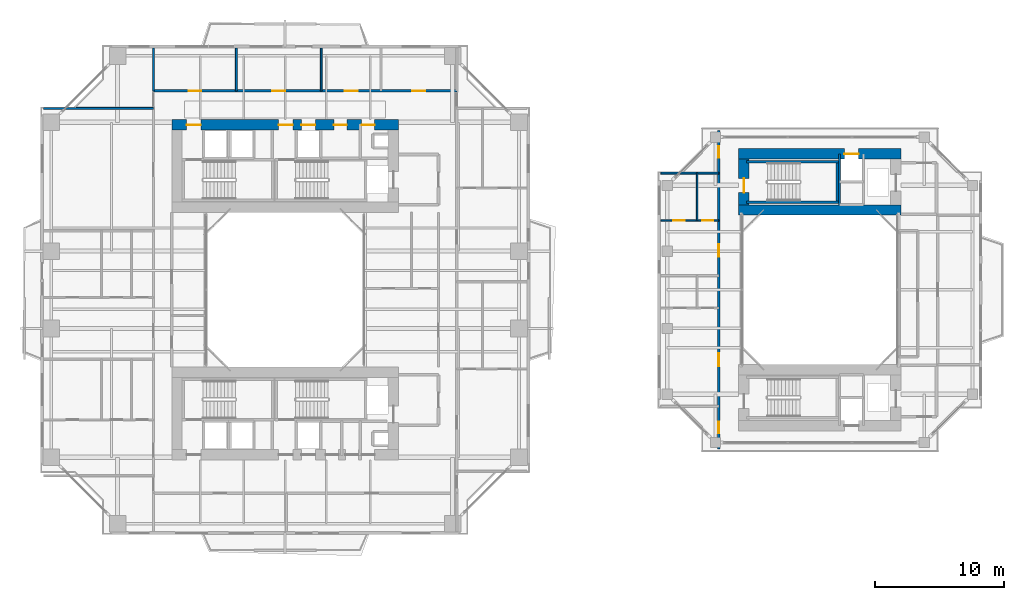
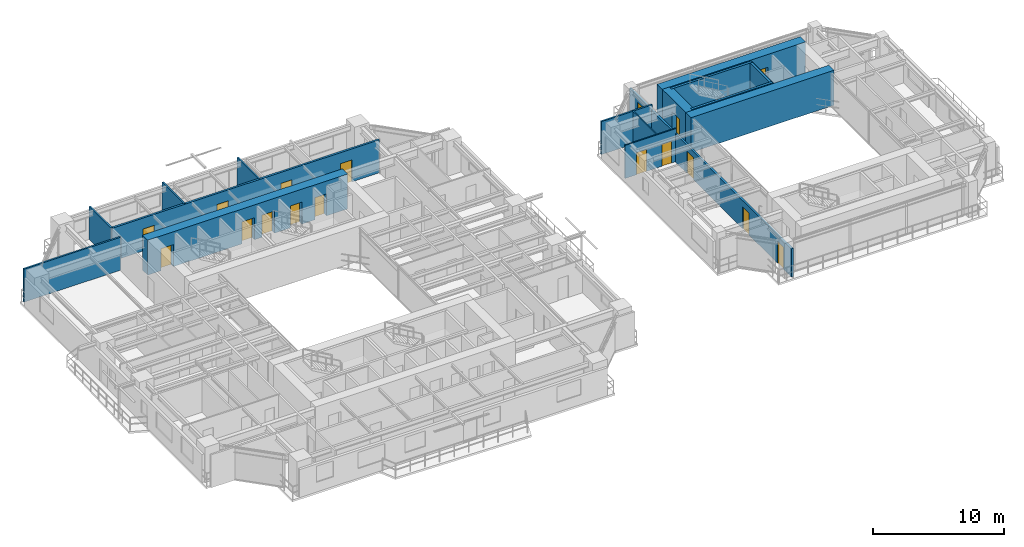
# One storey, part 16 of 23: 17 doors, 17 walls, 17 openings.
"""IFC4 building model written with IfcOpenShell, lengths in metres."""

import ifcopenshell
import ifcopenshell.guid

model = None  # the IFC model being written
_history = None  # IfcOwnerHistory: only IFC2X3 demands one
_inside = {}  # id of a spatial element -> (the spatial element, [elements in it])
_under = {}  # id of a project, library or spatial element -> (it, [spatial elements below it])
_declared = {}  # id of a project -> (the project, [libraries it declares])
_typed = {}  # id of a type object -> (the type object, [elements of that type])
_made_of = {}  # id of a material, layer set ... -> (it, [elements and type objects made of it])


def new_model(schema):
    """Start an empty IFC model of exactly this schema.

    Asked for "IFC4X3", IfcOpenShell would pick the latest addendum, in which some entities
    have other attributes; the version numbers below select the first issue.
    IFC2X3 requires an IfcOwnerHistory on every rooted entity: one is made here for all.
    """
    global model, _history
    if schema == "IFC4X3":
        model = ifcopenshell.file(schema_version=(4, 3, 0, 0))
    else:
        model = ifcopenshell.file(schema=schema)
    _inside.clear()
    _under.clear()
    _declared.clear()
    _typed.clear()
    _made_of.clear()
    _history = None
    if model.schema == "IFC2X3":
        org = make("IfcOrganization", Name="unknown")
        user = make(
            "IfcPersonAndOrganization",
            ThePerson=make("IfcPerson", FamilyName="unknown"),
            TheOrganization=org,
        )
        app = make(
            "IfcApplication",
            ApplicationDeveloper=org,
            Version="unknown",
            ApplicationFullName="unknown",
            ApplicationIdentifier="unknown",
        )
        _history = make(
            "IfcOwnerHistory",
            OwningUser=user,
            OwningApplication=app,
            ChangeAction="ADDED",
            CreationDate=0,
        )
    return model


def make(cls, **values):
    """One entity of the class cls with the attributes given. An attribute that is None is left unset."""
    return model.create_entity(
        cls, **{name: value for name, value in values.items() if value is not None}
    )


def rooted(cls, **values):
    """An entity with a GlobalId (a new one), such as an element, a storey or a relation."""
    return make(cls, GlobalId=ifcopenshell.guid.new(), OwnerHistory=_history, **values)


def si_unit(unit_type, name, prefix=None):
    """IfcSIUnit, for example si_unit("LENGTHUNIT", "METRE", prefix="MILLI")."""
    return make("IfcSIUnit", UnitType=unit_type, Prefix=prefix, Name=name)


def assignment(units):
    """IfcUnitAssignment: the units of a project."""
    return None if units is None else make("IfcUnitAssignment", Units=units)


def point(xyz):
    """IfcCartesianPoint."""
    return None if xyz is None else make("IfcCartesianPoint", Coordinates=xyz)


def direction(xyz):
    """IfcDirection."""
    return None if xyz is None else make("IfcDirection", DirectionRatios=xyz)


def frame(location, z_axis=None, x_axis=None):
    """IfcAxis2Placement3D, a coordinate frame: its origin and axes. An axis left out is left unset."""
    return make(
        "IfcAxis2Placement3D",
        Location=point(location),
        Axis=direction(z_axis),
        RefDirection=direction(x_axis),
    )


def frame_2d(location, x_axis=None):
    """IfcAxis2Placement2D, a coordinate frame in the plane: its origin and x axis."""
    return make(
        "IfcAxis2Placement2D", Location=point(location), RefDirection=direction(x_axis)
    )


def origin():
    """The frame at (0, 0, 0) with its axes left unset."""
    return frame((0.0, 0.0, 0.0))


def place(relative_to, where):
    """IfcLocalPlacement: puts the frame where relative to a parent placement (None: the world)."""
    return make(
        "IfcLocalPlacement", PlacementRelTo=relative_to, RelativePlacement=where
    )


def context(
    kind, dimensions, precision=None, world=None, true_north=None, identifier=None
):
    """IfcGeometricRepresentationContext, for example the 3D "Model" context."""
    return make(
        "IfcGeometricRepresentationContext",
        ContextIdentifier=identifier,
        ContextType=kind,
        CoordinateSpaceDimension=dimensions,
        Precision=precision,
        WorldCoordinateSystem=world,
        TrueNorth=true_north,
    )


def subcontext(parent, identifier, kind, view, scale=None):
    """IfcGeometricRepresentationSubContext, for example "Body" below "Model"."""
    return make(
        "IfcGeometricRepresentationSubContext",
        ContextIdentifier=identifier,
        ContextType=kind,
        ParentContext=parent,
        TargetScale=scale,
        TargetView=view,
    )


def project(units=None, contexts=None):
    """IfcProject with its units and contexts."""
    return rooted(
        "IfcProject",
        Name="project",
        RepresentationContexts=contexts,
        UnitsInContext=assignment(units),
    )


def spatial(cls, under=None, at=None, **own):
    """A site, building, storey or space (cls), placed at a placement, below another one or the project."""
    s = rooted(cls, ObjectPlacement=at, **own)
    if under is not None:
        _under.setdefault(under.id(), (under, []))[1].append(s)
    return s


def profile(cls, at=None, kind="AREA", **sizes):
    """A parametric profile (cls). Its sizes go by their IFC names, for example OverallWidth=200.0."""
    return make(cls, ProfileType=kind, Position=at, **sizes)


def rectangle(**sizes):
    """IfcRectangleProfileDef."""
    return profile("IfcRectangleProfileDef", **sizes)


def extrude(swept, where, along, depth):
    """IfcExtrudedAreaSolid: the profile swept, set in the frame where, extruded along a direction by depth."""
    return make(
        "IfcExtrudedAreaSolid",
        SweptArea=swept,
        Position=where,
        ExtrudedDirection=direction(along),
        Depth=depth,
    )


def shape(context_of_items, identifier, shape_type, items):
    """IfcShapeRepresentation: the items that make up one representation, for example the "Body"."""
    return make(
        "IfcShapeRepresentation",
        ContextOfItems=context_of_items,
        RepresentationIdentifier=identifier,
        RepresentationType=shape_type,
        Items=items,
    )


def source(mapping_origin, context_of_items, identifier, shape_type, items):
    """IfcRepresentationMap: a shape defined once, which mapped items show again and again."""
    return make(
        "IfcRepresentationMap",
        MappingOrigin=mapping_origin,
        MappedRepresentation=shape(context_of_items, identifier, shape_type, items),
    )


def transform(
    local_origin,
    x_axis=None,
    y_axis=None,
    z_axis=None,
    scale=None,
    scale2=None,
    scale3=None,
    uniform=True,
):
    """IfcCartesianTransformationOperator3D, or its non-uniform kind. x_axis, y_axis, z_axis: its Axis1, 2, 3."""
    if uniform:
        return make(
            "IfcCartesianTransformationOperator3D",
            Axis1=direction(x_axis),
            Axis2=direction(y_axis),
            LocalOrigin=point(local_origin),
            Scale=scale,
            Axis3=direction(z_axis),
        )
    return make(
        "IfcCartesianTransformationOperator3DnonUniform",
        Axis1=direction(x_axis),
        Axis2=direction(y_axis),
        LocalOrigin=point(local_origin),
        Scale=scale,
        Axis3=direction(z_axis),
        Scale2=scale2,
        Scale3=scale3,
    )


def mapped(mapping_source, mapping_target):
    """IfcMappedItem: shows the shape of a source again, moved by a transform."""
    return make(
        "IfcMappedItem", MappingSource=mapping_source, MappingTarget=mapping_target
    )


def material(Name=None, Category=None):
    """IfcMaterial."""
    return make("IfcMaterial", Name=Name, Category=Category)


def layer(
    of_material, thickness, ventilated=None, Name=None, Category=None, Priority=None
):
    """IfcMaterialLayer: one layer of a wall or slab, of a material (None: an air gap)."""
    return make(
        "IfcMaterialLayer",
        Material=of_material,
        LayerThickness=thickness,
        IsVentilated=ventilated,
        Name=Name,
        Category=Category,
        Priority=Priority,
    )


def layer_set(layers, Name=None):
    """IfcMaterialLayerSet."""
    return make("IfcMaterialLayerSet", MaterialLayers=layers, LayerSetName=Name)


def made_of(thing, what):
    """Note that an element or type object is made of a material, layer set ...; save() writes the relation."""
    if what is not None:
        _made_of.setdefault(what.id(), (what, []))[1].append(thing)
    return thing


def type_object(cls, material=None, **own):
    """A type object (cls), such as IfcWallType, which elements share."""
    return made_of(rooted(cls, **own), material)


def element(
    cls,
    number,
    at=None,
    inside=None,
    cuts=None,
    type_object=None,
    material=None,
    context=None,
    identifier="Body",
    shape_type=None,
    held_by="IfcProductDefinitionShape",
    body=None,
    shapes=None,
    **own,
):
    """One element of the class cls, such as IfcWall. Its Tag is "e" and its number.

    at: its placement. inside: the storey or other place that contains it. cuts: it is an
    opening in that element (IfcRelVoidsElement). A single representation is given by context,
    identifier, shape_type and body (its items); several are given by shapes. held_by: the class
    of the entity that holds the representations. save() writes the other relations.
    """
    e = rooted(cls, Tag="e%d" % number, ObjectPlacement=at, **own)
    if body is not None:
        shapes = [shape(context, identifier, shape_type, body)]
    if shapes is not None:
        e.Representation = make(held_by, Representations=shapes)
    if inside is not None:
        _inside.setdefault(inside.id(), (inside, []))[1].append(e)
    if cuts is not None:
        rooted(
            "IfcRelVoidsElement", RelatingBuildingElement=cuts, RelatedOpeningElement=e
        )
    if type_object is not None:
        _typed.setdefault(type_object.id(), (type_object, []))[1].append(e)
    return made_of(e, material)


def fill(opening, filler):
    """IfcRelFillsElement: the door or window that sits in an opening."""
    return rooted(
        "IfcRelFillsElement",
        RelatingOpeningElement=opening,
        RelatedBuildingElement=filler,
    )


def aggregate(whole, parts):
    """IfcRelAggregates: a whole, such as a stair, and the parts it consists of."""
    return rooted("IfcRelAggregates", RelatingObject=whole, RelatedObjects=parts)


def save(model, path):
    """Write the relations noted so far, then the file.

    IfcRelAggregates (storeys below a building ...), IfcRelContainedInSpatialStructure (elements
    in a storey), IfcRelDefinesByType, IfcRelAssociatesMaterial and IfcRelDeclares: one each for
    every whole, place, type object, material and project.
    """
    for whole, parts in _under.values():
        aggregate(whole, parts)
    for where, things in _inside.values():
        rooted(
            "IfcRelContainedInSpatialStructure",
            RelatedElements=things,
            RelatingStructure=where,
        )
    for kind, things in _typed.values():
        rooted("IfcRelDefinesByType", RelatedObjects=things, RelatingType=kind)
    for what, things in _made_of.values():
        rooted("IfcRelAssociatesMaterial", RelatedObjects=things, RelatingMaterial=what)
    for by, libraries in _declared.values():
        rooted("IfcRelDeclares", RelatingContext=by, RelatedDefinitions=libraries)
    model.write(path)


model = new_model("IFC4")

# Units and contexts
model_context = context("Model", 3, precision=1e-05, world=origin(), true_north=direction((0.0, 1.0)))
body_context = subcontext(model_context, "Body", "Model", "MODEL_VIEW")
ifc_project = project(units=[si_unit("LENGTHUNIT", "METRE"), si_unit("AREAUNIT", "SQUARE_METRE"), si_unit("VOLUMEUNIT", "CUBIC_METRE"), si_unit("PLANEANGLEUNIT", "RADIAN"), si_unit("MASSUNIT", "GRAM", prefix="KILO"), si_unit("THERMODYNAMICTEMPERATUREUNIT", "KELVIN"), si_unit("POWERUNIT", "WATT")], contexts=[model_context])

# Site, building, storey
site_placement = place(None, origin())
site = spatial("IfcSite", under=ifc_project, at=site_placement, CompositionType="ELEMENT")
building_placement = place(site_placement, origin())
building = spatial("IfcBuilding", under=site, at=building_placement, Name="Qiaomeng Ring Towers", CompositionType="ELEMENT")
storey_placement = place(building_placement, frame((0.0, 0.0, 76.25)))
storey = spatial("IfcBuildingStorey", under=building, at=storey_placement, Name="L21", CompositionType="ELEMENT", Elevation=76.25)

# Wall, openings, doors
ifc_material_1 = material(Name="Autoclaved aerated concrete block", Category="concrete")
ifc_layer_1 = layer(ifc_material_1, 0.179931640625, Name="Autoclaved aerated concrete block")
ifc_layer_set_1 = layer_set([ifc_layer_1], Name="Autoclaved aerated concrete block")
wall_type_1 = type_object("IfcWallType", Name="ARC-WL-PW2", PredefinedType="PARTITIONING", material=ifc_layer_set_1)
wall_1_placement = place(storey_placement, frame((8.780029296875, 38.43994140625, 0.0), z_axis=(0.0, 0.0, 1.0), x_axis=(1.0, 0.0, 0.0)))
wall_1 = element("IfcWall", 1, at=wall_1_placement, inside=storey, type_object=wall_type_1, Name="L21 Interior Wall PW2", PredefinedType="PARTITIONING", context=body_context, shape_type="SweptSolid", body=[
    extrude(rectangle(XDim=23.5400390625, YDim=0.179931640625, at=frame_2d((11.77001953125, 0.0))), origin(), (0.0, 0.0, 1.0), 3.070068359375),
])
opening_1_placement = place(wall_1_placement, frame((2.719970703125, 0.0, 0.0)))
opening_1 = element("IfcOpeningElement", 2, at=opening_1_placement, cuts=wall_1, Name="Opening FD4", PredefinedType="OPENING", context=body_context, shape_type="SweptSolid", body=[
    extrude(rectangle(XDim=1.0, YDim=2.050048828125, at=frame_2d((0.5, 1.02490234375))), frame((0.0, 0.099853515625, 0.0), z_axis=(0.0, -1.0, 0.0), x_axis=(1.0, 0.0, 0.0)), (0.0, 0.0, 1.0), 0.199951171875),
])
opening_2_placement = place(wall_1_placement, frame((9.22998046875, 0.0, 0.0)))
opening_2 = element("IfcOpeningElement", 3, at=opening_2_placement, cuts=wall_1, Name="Opening FD4", PredefinedType="OPENING", context=body_context, shape_type="SweptSolid", body=[
    extrude(rectangle(XDim=1.0, YDim=2.050048828125, at=frame_2d((0.5, 1.02490234375))), frame((0.0, 0.099853515625, 0.0), z_axis=(0.0, -1.0, 0.0), x_axis=(1.0, 0.0, 0.0)), (0.0, 0.0, 1.0), 0.199951171875),
])
opening_3_placement = place(wall_1_placement, frame((14.840087890625, 0.0, 0.0)))
opening_3 = element("IfcOpeningElement", 4, at=opening_3_placement, cuts=wall_1, Name="Opening FD4", PredefinedType="OPENING", context=body_context, shape_type="SweptSolid", body=[
    extrude(rectangle(XDim=1.0, YDim=2.050048828125, at=frame_2d((0.5, 1.02490234375))), frame((0.0, 0.099853515625, 0.0), z_axis=(0.0, -1.0, 0.0), x_axis=(1.0, 0.0, 0.0)), (0.0, 0.0, 1.0), 0.199951171875),
])
opening_4_placement = place(wall_1_placement, frame((20.10009765625, 0.0, 0.0)))
opening_4 = element("IfcOpeningElement", 5, at=opening_4_placement, cuts=wall_1, Name="Opening FD4", PredefinedType="OPENING", context=body_context, shape_type="SweptSolid", body=[
    extrude(rectangle(XDim=1.0, YDim=2.050048828125, at=frame_2d((0.5, 1.02490234375))), frame((0.0, 0.099853515625, 0.0), z_axis=(0.0, -1.0, 0.0), x_axis=(1.0, 0.0, 0.0)), (0.0, 0.0, 1.0), 0.199951171875),
])
ifc_material_2 = material(Name="Engineered fire-rated oak timber", Category="wood")
door_type_1 = type_object("IfcDoorType", Name="ARC-DR-FD4", OperationType="NOTDEFINED", PredefinedType="DOOR", material=ifc_material_2)
shared_shape_1 = source(origin(), body_context, "Body", "SweptSolid", [
    extrude(rectangle(XDim=1.0, YDim=2.050048828125, at=frame_2d((0.5, 1.02490234375))), frame((0.0, 0.02490234375, 0.0), z_axis=(0.0, -1.0, 0.0), x_axis=(1.0, 0.0, 0.0)), (0.0, 0.0, 1.0), 0.050048828125),
])
door_1_placement = place(opening_1_placement, origin())
door_1 = element("IfcDoor", 6, at=door_1_placement, inside=storey, type_object=door_type_1, Name="L21 Door FD4", OperationType="SINGLE_SWING_RIGHT", OverallHeight=2.050048828125, OverallWidth=1.0, PredefinedType="DOOR", context=body_context, shape_type="MappedRepresentation", body=[
    mapped(shared_shape_1, transform((0.0, 0.0, 0.0), x_axis=(1.0, 0.0, 0.0), y_axis=(0.0, 1.0, 0.0), z_axis=(0.0, 0.0, 1.0), scale=1.0)),
])
fill(opening_1, door_1)
door_2_placement = place(opening_2_placement, origin())
door_2 = element("IfcDoor", 7, at=door_2_placement, inside=storey, type_object=door_type_1, Name="L21 Door FD4", OperationType="SINGLE_SWING_LEFT", OverallHeight=2.050048828125, OverallWidth=1.0, PredefinedType="DOOR", context=body_context, shape_type="MappedRepresentation", body=[
    mapped(shared_shape_1, transform((0.0, 0.0, 0.0), x_axis=(1.0, 0.0, 0.0), y_axis=(0.0, 1.0, 0.0), z_axis=(0.0, 0.0, 1.0), scale=1.0)),
])
fill(opening_2, door_2)
door_3_placement = place(opening_3_placement, origin())
door_3 = element("IfcDoor", 8, at=door_3_placement, inside=storey, type_object=door_type_1, Name="L21 Door FD4", OperationType="SINGLE_SWING_RIGHT", OverallHeight=2.050048828125, OverallWidth=1.0, PredefinedType="DOOR", context=body_context, shape_type="MappedRepresentation", body=[
    mapped(shared_shape_1, transform((0.0, 0.0, 0.0), x_axis=(1.0, 0.0, 0.0), y_axis=(0.0, 1.0, 0.0), z_axis=(0.0, 0.0, 1.0), scale=1.0)),
])
fill(opening_3, door_3)
door_4_placement = place(opening_4_placement, origin())
door_4 = element("IfcDoor", 9, at=door_4_placement, inside=storey, type_object=door_type_1, Name="L21 Door FD4", OperationType="SINGLE_SWING_LEFT", OverallHeight=2.050048828125, OverallWidth=1.0, PredefinedType="DOOR", context=body_context, shape_type="MappedRepresentation", body=[
    mapped(shared_shape_1, transform((0.0, 0.0, 0.0), x_axis=(1.0, 0.0, 0.0), y_axis=(0.0, 1.0, 0.0), z_axis=(0.0, 0.0, 1.0), scale=1.0)),
])
fill(opening_4, door_4)

wall_2_placement = place(storey_placement, frame((52.64990234375, 10.64990234375, 0.0), z_axis=(0.0, 0.0, 1.0), x_axis=(0.0, 1.0, 0.0)))
wall_2 = element("IfcWall", 10, at=wall_2_placement, inside=storey, type_object=wall_type_1, Name="L21 Interior Wall PW2", PredefinedType="PARTITIONING", context=body_context, shape_type="SweptSolid", body=[
    extrude(rectangle(XDim=24.7001953125, YDim=0.179931640625, at=frame_2d((12.35009765625, 0.0))), origin(), (0.0, 0.0, 1.0), 2.614990234375),
])
opening_5_placement = place(wall_2_placement, frame((22.580078125, 0.0, 0.0)))
opening_5 = element("IfcOpeningElement", 11, at=opening_5_placement, cuts=wall_2, Name="Opening ID1", PredefinedType="OPENING", context=body_context, shape_type="SweptSolid", body=[
    extrude(rectangle(XDim=0.89990234375, YDim=2.050048828125, at=frame_2d((0.449951171875, 1.02490234375))), frame((0.0, 0.099853515625, 0.0), z_axis=(0.0, -1.0, 0.0), x_axis=(1.0, 0.0, 0.0)), (0.0, 0.0, 1.0), 0.199951171875),
])
opening_6_placement = place(wall_2_placement, frame((1.219970703125, 0.0, 0.0)))
opening_6 = element("IfcOpeningElement", 12, at=opening_6_placement, cuts=wall_2, Name="Opening ID1", PredefinedType="OPENING", context=body_context, shape_type="SweptSolid", body=[
    extrude(rectangle(XDim=0.89990234375, YDim=2.050048828125, at=frame_2d((0.449951171875, 1.02490234375))), frame((0.0, 0.099853515625, 0.0), z_axis=(0.0, -1.0, 0.0), x_axis=(1.0, 0.0, 0.0)), (0.0, 0.0, 1.0), 0.199951171875),
])
opening_7_placement = place(wall_2_placement, frame((6.425048828125, 0.0, 0.0)))
opening_7 = element("IfcOpeningElement", 13, at=opening_7_placement, cuts=wall_2, Name="Opening FD4", PredefinedType="OPENING", context=body_context, shape_type="SweptSolid", body=[
    extrude(rectangle(XDim=1.0, YDim=2.050048828125, at=frame_2d((0.5, 1.02490234375))), frame((0.0, 0.099853515625, 0.0), z_axis=(0.0, -1.0, 0.0), x_axis=(1.0, 0.0, 0.0)), (0.0, 0.0, 1.0), 0.199951171875),
])
opening_8_placement = place(wall_2_placement, frame((14.905029296875, 0.0, 0.0)))
opening_8 = element("IfcOpeningElement", 14, at=opening_8_placement, cuts=wall_2, Name="Opening FD4", PredefinedType="OPENING", context=body_context, shape_type="SweptSolid", body=[
    extrude(rectangle(XDim=1.0, YDim=2.050048828125, at=frame_2d((0.5, 1.02490234375))), frame((0.0, 0.099853515625, 0.0), z_axis=(0.0, -1.0, 0.0), x_axis=(1.0, 0.0, 0.0)), (0.0, 0.0, 1.0), 0.199951171875),
])
door_5_placement = place(opening_7_placement, origin())
door_5 = element("IfcDoor", 15, at=door_5_placement, inside=storey, type_object=door_type_1, Name="L21 Door FD4", OperationType="SINGLE_SWING_RIGHT", OverallHeight=2.050048828125, OverallWidth=1.0, PredefinedType="DOOR", context=body_context, shape_type="MappedRepresentation", body=[
    mapped(shared_shape_1, transform((0.0, 0.0, 0.0), x_axis=(1.0, 0.0, 0.0), y_axis=(0.0, 1.0, 0.0), z_axis=(0.0, 0.0, 1.0), scale=1.0)),
])
fill(opening_7, door_5)
door_6_placement = place(opening_8_placement, origin())
door_6 = element("IfcDoor", 16, at=door_6_placement, inside=storey, type_object=door_type_1, Name="L21 Door FD4", OperationType="SINGLE_SWING_LEFT", OverallHeight=2.050048828125, OverallWidth=1.0, PredefinedType="DOOR", context=body_context, shape_type="MappedRepresentation", body=[
    mapped(shared_shape_1, transform((0.0, 0.0, 0.0), x_axis=(1.0, 0.0, 0.0), y_axis=(0.0, 1.0, 0.0), z_axis=(0.0, 0.0, 1.0), scale=1.0)),
])
fill(opening_8, door_6)
ifc_material_3 = material(Name="Engineered oak timber", Category="wood")
door_type_2 = type_object("IfcDoorType", Name="ARC-DR-ID1", OperationType="NOTDEFINED", PredefinedType="DOOR", material=ifc_material_3)
shared_shape_2 = source(origin(), body_context, "Body", "SweptSolid", [
    extrude(rectangle(XDim=0.89990234375, YDim=2.050048828125, at=frame_2d((0.449951171875, 1.02490234375))), frame((0.0, 0.02490234375, 0.0), z_axis=(0.0, -1.0, 0.0), x_axis=(1.0, 0.0, 0.0)), (0.0, 0.0, 1.0), 0.050048828125),
])
door_7_placement = place(opening_5_placement, origin())
door_7 = element("IfcDoor", 17, at=door_7_placement, inside=storey, type_object=door_type_2, Name="L21 Door ID1", OperationType="SINGLE_SWING_RIGHT", OverallHeight=2.050048828125, OverallWidth=0.89990234375, PredefinedType="DOOR", context=body_context, shape_type="MappedRepresentation", body=[
    mapped(shared_shape_2, transform((0.0, 0.0, 0.0), x_axis=(1.0, 0.0, 0.0), y_axis=(0.0, 1.0, 0.0), z_axis=(0.0, 0.0, 1.0), scale=1.0)),
])
fill(opening_5, door_7)
door_8_placement = place(opening_6_placement, origin())
door_8 = element("IfcDoor", 18, at=door_8_placement, inside=storey, type_object=door_type_2, Name="L21 Door ID1", OperationType="SINGLE_SWING_LEFT", OverallHeight=2.050048828125, OverallWidth=0.89990234375, PredefinedType="DOOR", context=body_context, shape_type="MappedRepresentation", body=[
    mapped(shared_shape_2, transform((0.0, 0.0, 0.0), x_axis=(1.0, 0.0, 0.0), y_axis=(0.0, 1.0, 0.0), z_axis=(0.0, 0.0, 1.0), scale=1.0)),
])
fill(opening_6, door_8)

# Walls
ifc_material_4 = material(Name="Gypsum fireboard steel-stud partition", Category="steel")
ifc_layer_2 = layer(ifc_material_4, 0.14990234375, Name="Gypsum fireboard steel-stud partition")
ifc_layer_set_2 = layer_set([ifc_layer_2], Name="Gypsum fireboard steel-stud partition")
wall_type_2 = type_object("IfcWallType", Name="ARC-WL-PW3", PredefinedType="PARTITIONING", material=ifc_layer_set_2)
for number, where, z_axis, x_axis, name in (
    (19, (15.219970703125, 38.43994140625, 0.0), (0.0, 0.0, 1.0), (0.0, 1.0, 0.0), "L21 Interior Wall PW3"),
    (20, (21.800048828125, 38.43994140625, 0.0), (0.0, 0.0, 1.0), (0.0, 1.0, 0.0), "L21 Interior Wall PW3"),
    (21, (8.780029296875, 38.43994140625, 0.0), (0.0, 0.0, 1.0), (0.0, 1.0, 0.0), "L21 Interior Wall PW3"),
):
    element("IfcWall", number, at=place(storey_placement, frame(where, z_axis=z_axis, x_axis=x_axis)), inside=storey, type_object=wall_type_2, Name=name, PredefinedType="PARTITIONING", context=body_context, shape_type="SweptSolid", body=[
        extrude(rectangle(XDim=3.31005859375, YDim=0.14990234375, at=frame_2d((1.655029296875, 0.0))), origin(), (0.0, 0.0, 1.0), 3.070068359375),
    ])
wall_3_placement = place(storey_placement, frame((0.25, 37.080078125, 0.0), z_axis=(0.0, 0.0, 1.0), x_axis=(1.0, 0.0, 0.0)))
element("IfcWall", 22, at=wall_3_placement, inside=storey, type_object=wall_type_2, Name="L21 Interior Wall PW3", PredefinedType="PARTITIONING", context=body_context, shape_type="SweptSolid", body=[
    extrude(rectangle(XDim=8.530029296875, YDim=0.14990234375, at=frame_2d((4.26513671875, 0.0))), origin(), (0.0, 0.0, 1.0), 3.070068359375),
])
wall_4_placement = place(storey_placement, frame((48.14990234375, 32.050048828125, 0.0), z_axis=(0.0, 0.0, 1.0), x_axis=(1.0, 0.0, 0.0)))
element("IfcWall", 23, at=wall_4_placement, inside=storey, type_object=wall_type_2, Name="L21 Interior Wall PW3", PredefinedType="PARTITIONING", context=body_context, shape_type="SweptSolid", body=[
    extrude(rectangle(XDim=4.5, YDim=0.14990234375, at=frame_2d((2.25, 0.0))), origin(), (0.0, 0.0, 1.0), 3.070068359375),
])

# Wall, openings, doors
ifc_material_5 = material(Name="Moisture-resistant gypsum steel-stud partition", Category="steel")
ifc_layer_3 = layer(ifc_material_5, 0.1201171875, Name="Moisture-resistant gypsum steel-stud partition")
ifc_layer_set_3 = layer_set([ifc_layer_3], Name="Moisture-resistant gypsum steel-stud partition")
wall_type_3 = type_object("IfcWallType", Name="ARC-WL-PW4", PredefinedType="PLUMBINGWALL", material=ifc_layer_set_3)
wall_5_placement = place(storey_placement, frame((48.14990234375, 28.389892578125, 0.0), z_axis=(0.0, 0.0, 1.0), x_axis=(1.0, 0.0, 0.0)))
wall_5 = element("IfcWall", 24, at=wall_5_placement, inside=storey, type_object=wall_type_3, Name="L21 Interior Wall PW4", PredefinedType="PLUMBINGWALL", context=body_context, shape_type="SweptSolid", body=[
    extrude(rectangle(XDim=4.5, YDim=0.1201171875, at=frame_2d((2.25, 0.0))), origin(), (0.0, 0.0, 1.0), 3.070068359375),
])
opening_9_placement = place(wall_5_placement, frame((0.97509765625, 0.0, 0.0)))
opening_9 = element("IfcOpeningElement", 25, at=opening_9_placement, cuts=wall_5, Name="Opening ID1", PredefinedType="OPENING", context=body_context, shape_type="SweptSolid", body=[
    extrude(rectangle(XDim=0.89990234375, YDim=2.050048828125, at=frame_2d((0.449951171875, 1.02490234375))), frame((0.0, 0.070068359375, 0.0), z_axis=(0.0, -1.0, 0.0), x_axis=(1.0, 0.0, 0.0)), (0.0, 0.0, 1.0), 0.14013671875),
])
opening_10_placement = place(wall_5_placement, frame((3.22998046875, 0.0, 0.0)))
opening_10 = element("IfcOpeningElement", 26, at=opening_10_placement, cuts=wall_5, Name="Opening ID2", PredefinedType="OPENING", context=body_context, shape_type="SweptSolid", body=[
    extrude(rectangle(XDim=0.85009765625, YDim=2.050048828125, at=frame_2d((0.425048828125, 1.02490234375))), frame((0.0, 0.070068359375, 0.0), z_axis=(0.0, -1.0, 0.0), x_axis=(1.0, 0.0, 0.0)), (0.0, 0.0, 1.0), 0.14013671875),
])
ifc_material_6 = material(Name="Moisture-resistant engineered timber", Category="wood")
door_type_3 = type_object("IfcDoorType", Name="ARC-DR-ID2", OperationType="NOTDEFINED", PredefinedType="DOOR", material=ifc_material_6)
shared_shape_3 = source(origin(), body_context, "Body", "SweptSolid", [
    extrude(rectangle(XDim=0.85009765625, YDim=2.050048828125, at=frame_2d((0.425048828125, 1.02490234375))), frame((0.0, 0.02490234375, 0.0), z_axis=(0.0, -1.0, 0.0), x_axis=(1.0, 0.0, 0.0)), (0.0, 0.0, 1.0), 0.050048828125),
])
door_9_placement = place(opening_10_placement, origin())
door_9 = element("IfcDoor", 27, at=door_9_placement, inside=storey, type_object=door_type_3, Name="L21 Door ID2", OperationType="SINGLE_SWING_LEFT", OverallHeight=2.050048828125, OverallWidth=0.85009765625, PredefinedType="DOOR", context=body_context, shape_type="MappedRepresentation", body=[
    mapped(shared_shape_3, transform((0.0, 0.0, 0.0), x_axis=(1.0, 0.0, 0.0), y_axis=(0.0, 1.0, 0.0), z_axis=(0.0, 0.0, 1.0), scale=1.0)),
])
fill(opening_10, door_9)
door_10_placement = place(opening_9_placement, origin())
door_10 = element("IfcDoor", 28, at=door_10_placement, inside=storey, type_object=door_type_2, Name="L21 Door ID1", OperationType="SINGLE_SWING_RIGHT", OverallHeight=2.050048828125, OverallWidth=0.89990234375, PredefinedType="DOOR", context=body_context, shape_type="MappedRepresentation", body=[
    mapped(shared_shape_2, transform((0.0, 0.0, 0.0), x_axis=(1.0, 0.0, 0.0), y_axis=(0.0, 1.0, 0.0), z_axis=(0.0, 0.0, 1.0), scale=1.0)),
])
fill(opening_9, door_10)

# Walls
wall_6_placement = place(storey_placement, frame((50.97998046875, 28.389892578125, 0.0), z_axis=(0.0, 0.0, 1.0), x_axis=(0.0, 1.0, 0.0)))
element("IfcWall", 29, at=wall_6_placement, inside=storey, type_object=wall_type_3, Name="L21 Interior Wall PW4", PredefinedType="PLUMBINGWALL", context=body_context, shape_type="SweptSolid", body=[
    extrude(rectangle(XDim=3.66015625, YDim=0.1201171875, at=frame_2d((1.830078125, 0.0))), origin(), (0.0, 0.0, 1.0), 3.070068359375),
])
ifc_material_7 = material(Name="Concrete C40", Category="concrete")
ifc_layer_4 = layer(ifc_material_7, 0.199951171875, Name="Concrete C40")
ifc_layer_set_4 = layer_set([ifc_layer_4], Name="Concrete C40")
wall_type_4 = type_object("IfcWallType", Name="STR-WL-STSHAFT", PredefinedType="SHEAR", material=ifc_layer_set_4)
wall_7_placement = place(storey_placement, frame((62.02001953125, 29.60009765625, 0.0), z_axis=(0.0, 0.0, 1.0), x_axis=(0.0, 1.0, 0.0)))
element("IfcWall", 30, at=wall_7_placement, inside=storey, type_object=wall_type_4, Name="L21 Companion Lift Shaft West Wall N", PredefinedType="SHEAR", context=body_context, shape_type="SweptSolid", body=[
    extrude(rectangle(XDim=3.949951171875, YDim=0.179931640625, at=frame_2d((1.97509765625, 0.0))), origin(), (0.0, 0.0, 1.0), 3.070068359375),
])
for number, where, z_axis, x_axis, name in (
    (31, (54.800048828125, 29.800048828125, 0.0), (0.0, 0.0, 1.0), (1.0, 0.0, 0.0), "L21 Stair ST5 South Shaft Shear Wall"),
    (32, (54.800048828125, 32.93994140625, 0.0), (0.0, 0.0, 1.0), (1.0, 0.0, 0.0), "L21 Stair ST5 North Shaft Shear Wall"),
):
    element("IfcWall", number, at=place(storey_placement, frame(where, z_axis=z_axis, x_axis=x_axis)), inside=storey, type_object=wall_type_4, Name=name, PredefinedType="SHEAR", context=body_context, shape_type="SweptSolid", body=[
        extrude(rectangle(XDim=7.14990234375, YDim=0.199951171875, at=frame_2d((3.574951171875, 0.0))), origin(), (0.0, 0.0, 1.0), 3.25),
    ])
wall_8_placement = place(storey_placement, frame((61.85009765625, 29.89990234375, 0.0), z_axis=(0.0, 0.0, 1.0), x_axis=(0.0, 1.0, 0.0)))
element("IfcWall", 33, at=wall_8_placement, inside=storey, type_object=wall_type_4, Name="L21 Stair ST5 East Shaft Shear Wall", PredefinedType="SHEAR", context=body_context, shape_type="SweptSolid", body=[
    extrude(rectangle(XDim=2.940185546875, YDim=0.199951171875, at=frame_2d((1.47021484375, 0.0))), origin(), (0.0, 0.0, 1.0), 3.25),
])

# Wall, openings, doors
ifc_material_8 = material(Name="Concrete C60", Category="concrete")
ifc_layer_5 = layer(ifc_material_8, 0.800048828125, Name="Concrete C60")
ifc_layer_set_5 = layer_set([ifc_layer_5], Name="Concrete C60")
wall_type_5 = type_object("IfcWallType", Name="STR-WL-SW1", PredefinedType="SHEAR", material=ifc_layer_set_5)
wall_9_placement = place(storey_placement, frame((10.199951171875, 35.800048828125, 0.0), z_axis=(0.0, 0.0, 1.0), x_axis=(1.0, 0.0, 0.0)))
wall_9 = element("IfcWall", 34, at=wall_9_placement, inside=storey, type_object=wall_type_5, Name="L21 T1NC north core shear wall", PredefinedType="SHEAR", context=body_context, shape_type="SweptSolid", body=[
    extrude(rectangle(XDim=17.60009765625, YDim=0.800048828125, at=frame_2d((8.800048828125, 0.0))), origin(), (0.0, 0.0, 1.0), 3.25),
])
opening_11_placement = place(wall_9_placement, frame((1.14990234375, 0.0, 0.0)))
opening_11 = element("IfcOpeningElement", 35, at=opening_11_placement, cuts=wall_9, Name="Opening FD3", PredefinedType="OPENING", context=body_context, shape_type="SweptSolid", body=[
    extrude(rectangle(XDim=1.10009765625, YDim=2.050048828125, at=frame_2d((0.550048828125, 1.02490234375))), frame((0.0, 0.409912109375, 0.0), z_axis=(0.0, -1.0, 0.0), x_axis=(1.0, 0.0, 0.0)), (0.0, 0.0, 1.0), 0.820068359375),
])
opening_12_placement = place(wall_9_placement, frame((8.300048828125, 0.0, 0.0)))
opening_12 = element("IfcOpeningElement", 36, at=opening_12_placement, cuts=wall_9, Name="Opening FD3", PredefinedType="OPENING", context=body_context, shape_type="SweptSolid", body=[
    extrude(rectangle(XDim=1.10009765625, YDim=2.050048828125, at=frame_2d((0.550048828125, 1.02490234375))), frame((0.0, 0.409912109375, 0.0), z_axis=(0.0, -1.0, 0.0), x_axis=(1.0, 0.0, 0.0)), (0.0, 0.0, 1.0), 0.820068359375),
])
opening_13_placement = place(wall_9_placement, frame((10.050048828125, 0.0, 0.0)))
opening_13 = element("IfcOpeningElement", 37, at=opening_13_placement, cuts=wall_9, Name="Opening LD1", PredefinedType="OPENING", context=body_context, shape_type="SweptSolid", body=[
    extrude(rectangle(XDim=1.10009765625, YDim=2.050048828125, at=frame_2d((0.550048828125, 1.02490234375))), frame((0.0, 0.409912109375, 0.0), z_axis=(0.0, -1.0, 0.0), x_axis=(1.0, 0.0, 0.0)), (0.0, 0.0, 1.0), 0.820068359375),
])
opening_14_placement = place(wall_9_placement, frame((14.739990234375, 0.0, 0.0)))
opening_14 = element("IfcOpeningElement", 38, at=opening_14_placement, cuts=wall_9, Name="Opening FD1", PredefinedType="OPENING", context=body_context, shape_type="SweptSolid", body=[
    extrude(rectangle(XDim=1.0, YDim=2.050048828125, at=frame_2d((0.5, 1.02490234375))), frame((0.0, 0.409912109375, 0.0), z_axis=(0.0, -1.0, 0.0), x_axis=(1.0, 0.0, 0.0)), (0.0, 0.0, 1.0), 0.820068359375),
])
opening_15_placement = place(wall_9_placement, frame((12.5849609375, 0.0, 0.0)))
opening_15 = element("IfcOpeningElement", 39, at=opening_15_placement, cuts=wall_9, Name="Opening FD1", PredefinedType="OPENING", context=body_context, shape_type="SweptSolid", body=[
    extrude(rectangle(XDim=1.0, YDim=2.050048828125, at=frame_2d((0.5, 1.02490234375))), frame((0.0, 0.409912109375, 0.0), z_axis=(0.0, -1.0, 0.0), x_axis=(1.0, 0.0, 0.0)), (0.0, 0.0, 1.0), 0.820068359375),
])
ifc_material_9 = material(Name="Galvanised steel", Category="steel")
door_type_4 = type_object("IfcDoorType", Name="ARC-DR-FD3", OperationType="NOTDEFINED", PredefinedType="DOOR", material=ifc_material_9)
shared_shape_4 = source(origin(), body_context, "Body", "SweptSolid", [
    extrude(rectangle(XDim=1.10009765625, YDim=2.050048828125, at=frame_2d((0.550048828125, 1.02490234375))), frame((0.0, 0.02490234375, 0.0), z_axis=(0.0, -1.0, 0.0), x_axis=(1.0, 0.0, 0.0)), (0.0, 0.0, 1.0), 0.050048828125),
])
door_11_placement = place(opening_11_placement, origin())
door_11 = element("IfcDoor", 40, at=door_11_placement, inside=storey, type_object=door_type_4, Name="L21 Stair ST1 Lobby Door", OperationType="SINGLE_SWING_LEFT", OverallHeight=2.050048828125, OverallWidth=1.10009765625, PredefinedType="DOOR", context=body_context, shape_type="MappedRepresentation", body=[
    mapped(shared_shape_4, transform((0.0, 0.0, 0.0), x_axis=(1.0, 0.0, 0.0), y_axis=(0.0, 1.0, 0.0), z_axis=(0.0, 0.0, 1.0), scale=1.0)),
])
fill(opening_11, door_11)
door_12_placement = place(opening_12_placement, origin())
door_12 = element("IfcDoor", 41, at=door_12_placement, inside=storey, type_object=door_type_4, Name="L21 Stair ST2 Lobby Door", OperationType="SINGLE_SWING_LEFT", OverallHeight=2.050048828125, OverallWidth=1.10009765625, PredefinedType="DOOR", context=body_context, shape_type="MappedRepresentation", body=[
    mapped(shared_shape_4, transform((0.0, 0.0, 0.0), x_axis=(1.0, 0.0, 0.0), y_axis=(0.0, 1.0, 0.0), z_axis=(0.0, 0.0, 1.0), scale=1.0)),
])
fill(opening_12, door_12)
ifc_material_10 = material(Name="Stainless steel 316", Category="steel")
door_type_5 = type_object("IfcDoorType", Name="ARC-DR-LD1", OperationType="NOTDEFINED", PredefinedType="DOOR", material=ifc_material_10)
door_13_placement = place(opening_13_placement, origin())
door_13 = element("IfcDoor", 42, at=door_13_placement, inside=storey, type_object=door_type_5, Name="L21 Low-Zone Lift LP1 Landing Door", OperationType="SLIDING_TO_LEFT", OverallHeight=2.050048828125, OverallWidth=1.10009765625, PredefinedType="DOOR", context=body_context, shape_type="MappedRepresentation", body=[
    mapped(shared_shape_4, transform((0.0, 0.0, 0.0), x_axis=(1.0, 0.0, 0.0), y_axis=(0.0, 1.0, 0.0), z_axis=(0.0, 0.0, 1.0), scale=1.0)),
])
fill(opening_13, door_13)
door_type_6 = type_object("IfcDoorType", Name="ARC-DR-FD1", OperationType="NOTDEFINED", PredefinedType="DOOR", material=ifc_material_9)
door_14_placement = place(opening_14_placement, origin())
door_14 = element("IfcDoor", 43, at=door_14_placement, inside=storey, type_object=door_type_6, Name="L21 North Electrical Riser Door", OperationType="SINGLE_SWING_LEFT", OverallHeight=2.050048828125, OverallWidth=1.0, PredefinedType="DOOR", context=body_context, shape_type="MappedRepresentation", body=[
    mapped(shared_shape_1, transform((0.0, 0.0, 0.0), x_axis=(1.0, 0.0, 0.0), y_axis=(0.0, 1.0, 0.0), z_axis=(0.0, 0.0, 1.0), scale=1.0)),
])
fill(opening_14, door_14)
door_15_placement = place(opening_15_placement, origin())
door_15 = element("IfcDoor", 44, at=door_15_placement, inside=storey, type_object=door_type_6, Name="L21 North Cleaners Store Door", OperationType="SINGLE_SWING_LEFT", OverallHeight=2.050048828125, OverallWidth=1.0, PredefinedType="DOOR", context=body_context, shape_type="MappedRepresentation", body=[
    mapped(shared_shape_1, transform((0.0, 0.0, 0.0), x_axis=(1.0, 0.0, 0.0), y_axis=(0.0, 1.0, 0.0), z_axis=(0.0, 0.0, 1.0), scale=1.0)),
])
fill(opening_15, door_15)

# Wall
wall_10_placement = place(storey_placement, frame((54.199951171875, 29.199951171875, 0.0), z_axis=(0.0, 0.0, 1.0), x_axis=(1.0, 0.0, 0.0)))
element("IfcWall", 45, at=wall_10_placement, inside=storey, type_object=wall_type_5, Name="L21 T2NC south core shear wall", PredefinedType="SHEAR", context=body_context, shape_type="SweptSolid", body=[
    extrude(rectangle(XDim=12.60009765625, YDim=0.800048828125, at=frame_2d((6.300048828125, 0.0))), origin(), (0.0, 0.0, 1.0), 3.25),
])

# Wall, opening, door
wall_11_placement = place(storey_placement, frame((54.199951171875, 33.550048828125, 0.0), z_axis=(0.0, 0.0, 1.0), x_axis=(1.0, 0.0, 0.0)))
wall_11 = element("IfcWall", 46, at=wall_11_placement, inside=storey, type_object=wall_type_5, Name="L21 T2NC north core shear wall", PredefinedType="SHEAR", context=body_context, shape_type="SweptSolid", body=[
    extrude(rectangle(XDim=12.60009765625, YDim=0.800048828125, at=frame_2d((6.300048828125, 0.0))), origin(), (0.0, 0.0, 1.0), 3.25),
])
opening_16_placement = place(wall_11_placement, frame((8.199951171875, 0.0, 0.0)))
opening_16 = element("IfcOpeningElement", 47, at=opening_16_placement, cuts=wall_11, Name="Opening LD1", PredefinedType="OPENING", context=body_context, shape_type="SweptSolid", body=[
    extrude(rectangle(XDim=1.10009765625, YDim=2.050048828125, at=frame_2d((0.550048828125, 1.02490234375))), frame((0.0, 0.409912109375, 0.0), z_axis=(0.0, -1.0, 0.0), x_axis=(1.0, 0.0, 0.0)), (0.0, 0.0, 1.0), 0.820068359375),
])
door_16_placement = place(opening_16_placement, origin())
door_16 = element("IfcDoor", 48, at=door_16_placement, inside=storey, type_object=door_type_5, Name="L21 Companion Lift LP7 Landing Door", OperationType="SLIDING_TO_LEFT", OverallHeight=2.050048828125, OverallWidth=1.10009765625, PredefinedType="DOOR", context=body_context, shape_type="MappedRepresentation", body=[
    mapped(shared_shape_4, transform((0.0, 0.0, 0.0), x_axis=(1.0, 0.0, 0.0), y_axis=(0.0, 1.0, 0.0), z_axis=(0.0, 0.0, 1.0), scale=1.0)),
])
fill(opening_16, door_16)

wall_12_placement = place(storey_placement, frame((54.60009765625, 29.60009765625, 0.0), z_axis=(0.0, 0.0, 1.0), x_axis=(0.0, 1.0, 0.0)))
wall_12 = element("IfcWall", 49, at=wall_12_placement, inside=storey, type_object=wall_type_5, Name="L21 T2NC west core shear wall", PredefinedType="SHEAR", context=body_context, shape_type="SweptSolid", body=[
    extrude(rectangle(XDim=3.5498046875, YDim=0.800048828125, at=frame_2d((1.77490234375, 0.0))), origin(), (0.0, 0.0, 1.0), 3.25),
])
opening_17_placement = place(wall_12_placement, frame((0.949951171875, 0.0, 0.0)))
opening_17 = element("IfcOpeningElement", 50, at=opening_17_placement, cuts=wall_12, Name="Opening FD3", PredefinedType="OPENING", context=body_context, shape_type="SweptSolid", body=[
    extrude(rectangle(XDim=1.10009765625, YDim=2.050048828125, at=frame_2d((0.550048828125, 1.02490234375))), frame((0.0, 0.409912109375, 0.0), z_axis=(0.0, -1.0, 0.0), x_axis=(1.0, 0.0, 0.0)), (0.0, 0.0, 1.0), 0.820068359375),
])
door_17_placement = place(opening_17_placement, origin())
door_17 = element("IfcDoor", 51, at=door_17_placement, inside=storey, type_object=door_type_4, Name="L21 Stair ST5 Exit Door", OperationType="SINGLE_SWING_LEFT", OverallHeight=2.050048828125, OverallWidth=1.10009765625, PredefinedType="DOOR", context=body_context, shape_type="MappedRepresentation", body=[
    mapped(shared_shape_4, transform((0.0, 0.0, 0.0), x_axis=(1.0, 0.0, 0.0), y_axis=(0.0, 1.0, 0.0), z_axis=(0.0, 0.0, 1.0), scale=1.0)),
])
fill(opening_17, door_17)

save(model, "model.ifc")
